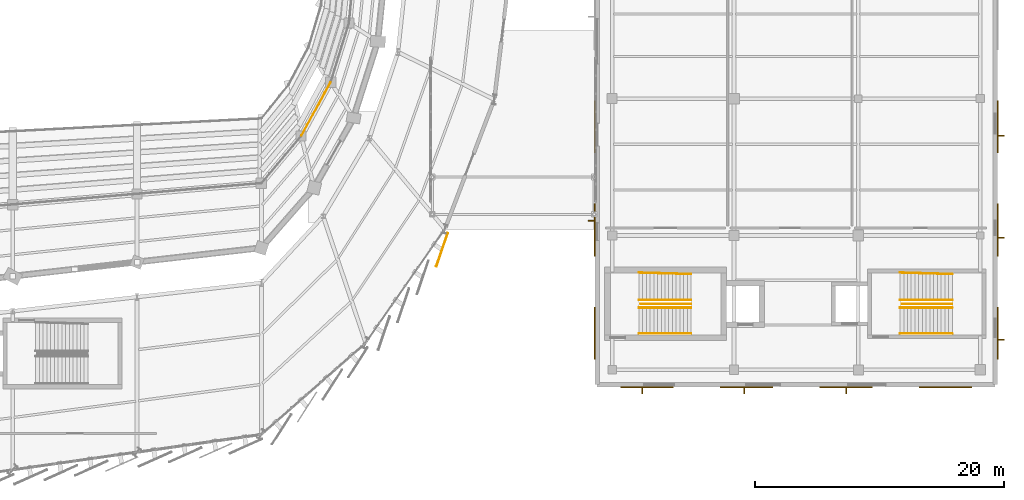
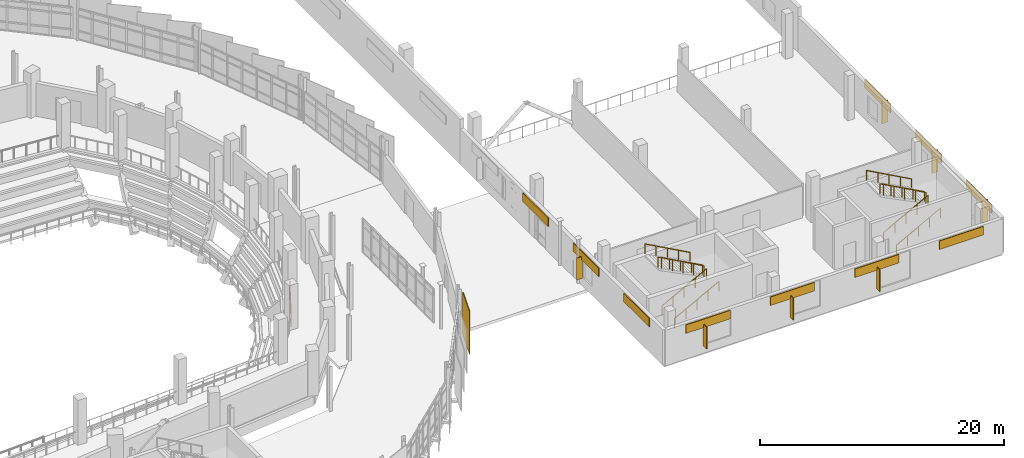
# One storey, part 131 of 134: 11 coverings, 11 railings, 7 shading devices.
"""IFC4 building model written with IfcOpenShell, lengths in metres."""

from ifc_helpers import new_model, si_unit, direction, frame, origin, origin_2d, place, context, subcontext, project, spatial, rectangle, circle, extrude, material, layer, layer_set, type_object, element, save


model = new_model("IFC4")

# Units and contexts
model_context = context("Model", 3, precision=1e-05, world=origin(), true_north=direction((0.0, 1.0)))
body_context = subcontext(model_context, "Body", "Model", "MODEL_VIEW")
ifc_project = project(units=[si_unit("LENGTHUNIT", "METRE"), si_unit("AREAUNIT", "SQUARE_METRE"), si_unit("VOLUMEUNIT", "CUBIC_METRE"), si_unit("PLANEANGLEUNIT", "RADIAN"), si_unit("MASSUNIT", "GRAM", prefix="KILO")], contexts=[model_context])

# Site, building, storey
site_placement = place(None, origin())
site = spatial("IfcSite", under=ifc_project, at=site_placement, CompositionType="ELEMENT")
building_placement = place(site_placement, origin())
building = spatial("IfcBuilding", under=site, at=building_placement, Name="Sohan Crest Arena", CompositionType="ELEMENT")
storey_placement = place(building_placement, frame((0.0, 0.0, 4.5)))
storey = spatial("IfcBuildingStorey", under=building, at=storey_placement, Name="L01", CompositionType="ELEMENT", Elevation=4.5)

# Railings
ifc_material_1 = material(Name="Powder-coated wrought steel balustrade", Category="steel")
railing_type_1 = type_object("IfcRailingType", Name="ARC-GRD-01", PredefinedType="GUARDRAIL", material=ifc_material_1)
for number, where, name in (
    (1, (202.530029296875, 50.5, 2.25), "Stair well slot guard GRD-080"),
    (2, (223.530029296875, 50.5, 2.25), "Stair well slot guard GRD-084"),
):
    element("IfcRailing", number, at=place(storey_placement, frame(where)), inside=storey, type_object=railing_type_1, Name=name, PredefinedType="GUARDRAIL", context=body_context, shape_type="SweptSolid", body=[
        extrude(circle(Radius=0.02392578125, at=origin_2d()), frame((0.0, 0.0, 1.076171875), z_axis=(-0.87313487534, 0.0, 0.487478706678), x_axis=(0.0, -1.0, 0.0)), (0.0, 0.0, 1.0), 4.615478515625),
        extrude(circle(Radius=0.02099609375, at=origin_2d()), origin(), (0.0, 0.0, 1.0), 1.052001953125),
        extrude(circle(Radius=0.02099609375, at=origin_2d()), frame((-1.007568359375, 0.0, 0.5625)), (0.0, 0.0, 1.0), 1.052001953125),
        extrude(circle(Radius=0.02099609375, at=origin_2d()), frame((-2.01513671875, 0.0, 1.125)), (0.0, 0.0, 1.0), 1.052001953125),
        extrude(circle(Radius=0.02099609375, at=origin_2d()), frame((-3.0224609375, 0.0, 1.6875)), (0.0, 0.0, 1.0), 1.052001953125),
        extrude(circle(Radius=0.02099609375, at=origin_2d()), frame((-4.030029296875, 0.0, 2.25)), (0.0, 0.0, 1.0), 1.052001953125),
    ])
ifc_material_2 = material(Name="Laminated glass and steel sightline guard", Category="steel")
railing_type_2 = type_object("IfcRailingType", Name="ARC-GRD-02", PredefinedType="GUARDRAIL", material=ifc_material_2)
railing_1_placement = place(storey_placement, frame((171.212890625, 64.02294921875, 0.0)))
element("IfcRailing", 3, at=railing_1_placement, inside=storey, type_object=railing_type_2, Name="Bowl gallery edge guard GRD-204", PredefinedType="GUARDRAIL", context=body_context, shape_type="SweptSolid", body=[
    extrude(circle(Radius=0.02392578125, at=origin_2d()), frame((0.0, 0.0, 1.1259765625), z_axis=(0.47973946728, 0.877410988952, 0.0), x_axis=(-0.877410988952, 0.47973946728, 0.0)), (0.0, 0.0, 1.0), 4.875732421875),
    extrude(circle(Radius=0.02099609375, at=origin_2d()), origin(), (0.0, 0.0, 1.0), 1.101806640625),
    extrude(circle(Radius=0.02099609375, at=origin_2d()), frame((0.4677734375, 0.855712890625, 0.0)), (0.0, 0.0, 1.0), 1.101806640625),
    extrude(circle(Radius=0.02099609375, at=origin_2d()), frame((0.935546875, 1.711181640625, 0.0)), (0.0, 0.0, 1.0), 1.101806640625),
    extrude(circle(Radius=0.02099609375, at=origin_2d()), frame((1.403564453125, 2.56689453125, 0.0)), (0.0, 0.0, 1.0), 1.101806640625),
    extrude(circle(Radius=0.02099609375, at=origin_2d()), frame((1.871337890625, 3.42236328125, 0.0)), (0.0, 0.0, 1.0), 1.101806640625),
    extrude(circle(Radius=0.02099609375, at=origin_2d()), frame((2.339111328125, 4.278076171875, 0.0)), (0.0, 0.0, 1.0), 1.101806640625),
])
ifc_material_3 = material(Name="Brushed stainless steel stair handrail", Category="steel")
railing_type_3 = type_object("IfcRailingType", Name="ARC-HR-01", PredefinedType="HANDRAIL", material=ifc_material_3)
for number, where, name in (
    (4, (198.35009765625, 48.110107421875, 0.0), "Stair pitch handrail HR-261"),
    (5, (198.35009765625, 50.18994140625, 0.0), "Stair pitch handrail HR-262"),
):
    element("IfcRailing", number, at=place(storey_placement, frame(where)), inside=storey, type_object=railing_type_3, Name=name, PredefinedType="HANDRAIL", context=body_context, shape_type="SweptSolid", body=[
        extrude(circle(Radius=0.02392578125, at=origin_2d()), frame((0.0, 0.0, 0.97607421875), z_axis=(0.881477684796, 0.0, 0.472225678258), x_axis=(0.0, 1.0, 0.0)), (0.0, 0.0, 1.0), 4.7646484375),
        extrude(circle(Radius=0.02099609375, at=origin_2d()), origin(), (0.0, 0.0, 1.0), 0.951904296875),
        extrude(circle(Radius=0.02099609375, at=origin_2d()), frame((1.050048828125, 0.0, 0.5625)), (0.0, 0.0, 1.0), 0.951904296875),
        extrude(circle(Radius=0.02099609375, at=origin_2d()), frame((2.10009765625, 0.0, 1.125)), (0.0, 0.0, 1.0), 0.951904296875),
        extrude(circle(Radius=0.02099609375, at=origin_2d()), frame((3.14990234375, 0.0, 1.6875)), (0.0, 0.0, 1.0), 0.951904296875),
        extrude(circle(Radius=0.02099609375, at=origin_2d()), frame((4.199951171875, 0.0, 2.25)), (0.0, 0.0, 1.0), 0.951904296875),
    ])
railing_2_placement = place(storey_placement, frame((202.550048828125, 50.81005859375, 2.25)))
element("IfcRailing", 6, at=railing_2_placement, inside=storey, type_object=railing_type_3, Name="Stair pitch handrail HR-263", PredefinedType="HANDRAIL", context=body_context, shape_type="SweptSolid", body=[
    extrude(circle(Radius=0.02392578125, at=origin_2d()), frame((0.0, 0.0, 0.97607421875), z_axis=(-0.881477684796, 0.0, 0.472225678258), x_axis=(0.0, -1.0, 0.0)), (0.0, 0.0, 1.0), 4.7646484375),
    extrude(circle(Radius=0.02099609375, at=origin_2d()), origin(), (0.0, 0.0, 1.0), 0.951904296875),
    extrude(circle(Radius=0.02099609375, at=origin_2d()), frame((-1.050048828125, 0.0, 0.5625)), (0.0, 0.0, 1.0), 0.951904296875),
    extrude(circle(Radius=0.02099609375, at=origin_2d()), frame((-2.10009765625, 0.0, 1.125)), (0.0, 0.0, 1.0), 0.951904296875),
    extrude(circle(Radius=0.02099609375, at=origin_2d()), frame((-3.14990234375, 0.0, 1.6875)), (0.0, 0.0, 1.0), 0.951904296875),
    extrude(circle(Radius=0.02099609375, at=origin_2d()), frame((-4.199951171875, 0.0, 2.25)), (0.0, 0.0, 1.0), 0.951904296875),
])
railing_3_placement = place(storey_placement, frame((202.550048828125, 52.889892578125, 2.25)))
element("IfcRailing", 7, at=railing_3_placement, inside=storey, type_object=railing_type_3, Name="Stair pitch handrail HR-264", PredefinedType="HANDRAIL", context=body_context, shape_type="SweptSolid", body=[
    extrude(circle(Radius=0.02392578125, at=origin_2d()), frame((0.0, 0.0, 0.97607421875), z_axis=(-0.881197710057, 0.025201957411, 0.472075690047), x_axis=(-0.028587973606, -0.999591280357, 0.0)), (0.0, 0.0, 1.0), 4.76611328125),
    extrude(circle(Radius=0.02099609375, at=origin_2d()), origin(), (0.0, 0.0, 1.0), 0.951904296875),
    extrude(circle(Radius=0.02099609375, at=origin_2d()), frame((-1.050048828125, 0.030029296875, 0.5625)), (0.0, 0.0, 1.0), 0.951904296875),
    extrude(circle(Radius=0.02099609375, at=origin_2d()), frame((-2.10009765625, 0.06005859375, 1.125)), (0.0, 0.0, 1.0), 0.951904296875),
    extrude(circle(Radius=0.02099609375, at=origin_2d()), frame((-3.14990234375, 0.090087890625, 1.6875)), (0.0, 0.0, 1.0), 0.951904296875),
    extrude(circle(Radius=0.02099609375, at=origin_2d()), frame((-4.199951171875, 0.1201171875, 2.25)), (0.0, 0.0, 1.0), 0.951904296875),
])
for number, where, name in (
    (8, (219.35009765625, 48.110107421875, 0.0), "Stair pitch handrail HR-273"),
    (9, (219.35009765625, 50.18994140625, 0.0), "Stair pitch handrail HR-274"),
):
    element("IfcRailing", number, at=place(storey_placement, frame(where)), inside=storey, type_object=railing_type_3, Name=name, PredefinedType="HANDRAIL", context=body_context, shape_type="SweptSolid", body=[
        extrude(circle(Radius=0.02392578125, at=origin_2d()), frame((0.0, 0.0, 0.97607421875), z_axis=(0.881477684796, 0.0, 0.472225678258), x_axis=(0.0, 1.0, 0.0)), (0.0, 0.0, 1.0), 4.7646484375),
        extrude(circle(Radius=0.02099609375, at=origin_2d()), origin(), (0.0, 0.0, 1.0), 0.951904296875),
        extrude(circle(Radius=0.02099609375, at=origin_2d()), frame((1.050048828125, 0.0, 0.5625)), (0.0, 0.0, 1.0), 0.951904296875),
        extrude(circle(Radius=0.02099609375, at=origin_2d()), frame((2.10009765625, 0.0, 1.125)), (0.0, 0.0, 1.0), 0.951904296875),
        extrude(circle(Radius=0.02099609375, at=origin_2d()), frame((3.14990234375, 0.0, 1.6875)), (0.0, 0.0, 1.0), 0.951904296875),
        extrude(circle(Radius=0.02099609375, at=origin_2d()), frame((4.199951171875, 0.0, 2.25)), (0.0, 0.0, 1.0), 0.951904296875),
    ])
railing_4_placement = place(storey_placement, frame((223.550048828125, 50.81005859375, 2.25)))
element("IfcRailing", 10, at=railing_4_placement, inside=storey, type_object=railing_type_3, Name="Stair pitch handrail HR-275", PredefinedType="HANDRAIL", context=body_context, shape_type="SweptSolid", body=[
    extrude(circle(Radius=0.02392578125, at=origin_2d()), frame((0.0, 0.0, 0.97607421875), z_axis=(-0.881477684796, 0.0, 0.472225678258), x_axis=(0.0, -1.0, 0.0)), (0.0, 0.0, 1.0), 4.7646484375),
    extrude(circle(Radius=0.02099609375, at=origin_2d()), origin(), (0.0, 0.0, 1.0), 0.951904296875),
    extrude(circle(Radius=0.02099609375, at=origin_2d()), frame((-1.050048828125, 0.0, 0.5625)), (0.0, 0.0, 1.0), 0.951904296875),
    extrude(circle(Radius=0.02099609375, at=origin_2d()), frame((-2.10009765625, 0.0, 1.125)), (0.0, 0.0, 1.0), 0.951904296875),
    extrude(circle(Radius=0.02099609375, at=origin_2d()), frame((-3.14990234375, 0.0, 1.6875)), (0.0, 0.0, 1.0), 0.951904296875),
    extrude(circle(Radius=0.02099609375, at=origin_2d()), frame((-4.199951171875, 0.0, 2.25)), (0.0, 0.0, 1.0), 0.951904296875),
])
railing_5_placement = place(storey_placement, frame((223.550048828125, 52.889892578125, 2.25)))
element("IfcRailing", 11, at=railing_5_placement, inside=storey, type_object=railing_type_3, Name="Stair pitch handrail HR-276", PredefinedType="HANDRAIL", context=body_context, shape_type="SweptSolid", body=[
    extrude(circle(Radius=0.02392578125, at=origin_2d()), frame((0.0, 0.0, 0.97607421875), z_axis=(-0.881197710057, 0.025201957411, 0.472075690047), x_axis=(-0.028587973606, -0.999591280357, 0.0)), (0.0, 0.0, 1.0), 4.76611328125),
    extrude(circle(Radius=0.02099609375, at=origin_2d()), origin(), (0.0, 0.0, 1.0), 0.951904296875),
    extrude(circle(Radius=0.02099609375, at=origin_2d()), frame((-1.050048828125, 0.030029296875, 0.5625)), (0.0, 0.0, 1.0), 0.951904296875),
    extrude(circle(Radius=0.02099609375, at=origin_2d()), frame((-2.10009765625, 0.06005859375, 1.125)), (0.0, 0.0, 1.0), 0.951904296875),
    extrude(circle(Radius=0.02099609375, at=origin_2d()), frame((-3.14990234375, 0.090087890625, 1.6875)), (0.0, 0.0, 1.0), 0.951904296875),
    extrude(circle(Radius=0.02099609375, at=origin_2d()), frame((-4.199951171875, 0.1201171875, 2.25)), (0.0, 0.0, 1.0), 0.951904296875),
])

# Shading devices
ifc_material_4 = material(Name="Glazed terracotta ceramic solar fin", Category="masonry")
ifc_layer_1 = layer(ifc_material_4, 0.070068359375, Name="Glazed terracotta ceramic solar fin")
ifc_layer_set_1 = layer_set([ifc_layer_1], Name="Glazed terracotta ceramic solar fin")
shading_device_type = type_object("IfcShadingDeviceType", Name="ARC-SHD-FIN1", PredefinedType="USERDEFINED", material=ifc_layer_set_1)
for number, where, z_axis, x_axis, name in (
    (12, (198.6201171875, 43.56494140625, 0.75), (0.0, 0.0, 1.0), (1.0, 0.0, 0.0), "Solar shading fin FIN-003"),
    (13, (206.820068359375, 43.56494140625, 0.75), (0.0, 0.0, 1.0), (1.0, 0.0, 0.0), "Solar shading fin FIN-004"),
    (14, (215.02001953125, 43.56494140625, 0.75), (0.0, 0.0, 1.0), (1.0, 0.0, 0.0), "Solar shading fin FIN-005"),
    (15, (227.43505859375, 47.6201171875, 0.75), (0.0, 0.0, 1.0), (0.0, 1.0, 0.0), "Solar shading fin FIN-006"),
    (16, (227.43505859375, 55.820068359375, 0.75), (0.0, 0.0, 1.0), (0.0, 1.0, 0.0), "Solar shading fin FIN-007"),
    (17, (227.43505859375, 64.02001953125, 0.75), (0.0, 0.0, 1.0), (0.0, 1.0, 0.0), "Solar shading fin FIN-008"),
    (18, (194.56494140625, 57.179931640625, 0.75), (0.0, 0.0, 1.0), (0.0, -1.0, 0.0), "Solar shading fin FIN-013"),
):
    element("IfcShadingDevice", number, at=place(storey_placement, frame(where, z_axis=z_axis, x_axis=x_axis)), inside=storey, type_object=shading_device_type, Name=name, ObjectType="FIN", PredefinedType="USERDEFINED", context=body_context, shape_type="SweptSolid", body=[
        extrude(rectangle(XDim=0.070068359375, YDim=0.550048828125, at=origin_2d()), origin(), (0.0, 0.0, 1.0), 2.199951171875),
    ])

# Coverings
ifc_material_5 = material(Name="Honed dark basalt stone cladding", Category="masonry")
ifc_layer_2 = layer(ifc_material_5, 0.0849609375, Name="Honed dark basalt stone cladding")
ifc_layer_set_2 = layer_set([ifc_layer_2], Name="Honed dark basalt stone cladding")
covering_type_1 = type_object("IfcCoveringType", Name="COV-BAS", PredefinedType="CLADDING", material=ifc_layer_set_2)
for number, where, z_axis, x_axis, name in (
    (19, (199.0, 43.79296875, 2.625), (0.0, 0.0, 1.0), (1.0, 0.0, 0.0), "Dark basalt facade panel DB-0789"),
    (20, (207.0, 43.79296875, 2.625), (0.0, 0.0, 1.0), (1.0, 0.0, 0.0), "Dark basalt facade panel DB-0790"),
    (21, (215.0, 43.79296875, 2.625), (0.0, 0.0, 1.0), (1.0, 0.0, 0.0), "Dark basalt facade panel DB-0791"),
    (22, (223.0, 43.79296875, 2.625), (0.0, 0.0, 1.0), (1.0, 0.0, 0.0), "Dark basalt facade panel DB-0792"),
    (23, (227.20703125, 48.14990234375, 2.625), (0.0, 0.0, 1.0), (0.0, 1.0, 0.0), "Dark basalt facade panel DB-0793"),
    (24, (227.20703125, 56.449951171875, 2.625), (0.0, 0.0, 1.0), (0.0, 1.0, 0.0), "Dark basalt facade panel DB-0794"),
    (25, (227.20703125, 64.75, 2.625), (0.0, 0.0, 1.0), (0.0, 1.0, 0.0), "Dark basalt facade panel DB-0795"),
    (26, (194.79296875, 64.75, 2.625), (0.0, 0.0, 1.0), (0.0, -1.0, 0.0), "Dark basalt facade panel DB-0810"),
    (27, (194.79296875, 56.449951171875, 2.625), (0.0, 0.0, 1.0), (0.0, -1.0, 0.0), "Dark basalt facade panel DB-0811"),
    (28, (194.79296875, 48.14990234375, 2.625), (0.0, 0.0, 1.0), (0.0, -1.0, 0.0), "Dark basalt facade panel DB-0812"),
):
    element("IfcCovering", number, at=place(storey_placement, frame(where, z_axis=z_axis, x_axis=x_axis)), inside=storey, type_object=covering_type_1, Name=name, PredefinedType="CLADDING", context=body_context, shape_type="SweptSolid", body=[
        extrude(rectangle(XDim=4.199951171875, YDim=0.0849609375, at=origin_2d()), origin(), (0.0, 0.0, 1.0), 0.85009765625),
    ])
ifc_material_6 = material(Name="Glazed ivory trencadis ceramic cladding", Category="masonry")
ifc_layer_3 = layer(ifc_material_6, 0.06494140625, Name="Glazed ivory trencadis ceramic cladding")
ifc_layer_set_3 = layer_set([ifc_layer_3], Name="Glazed ivory trencadis ceramic cladding")
covering_type_2 = type_object("IfcCoveringType", Name="COV-SC-IV", PredefinedType="CLADDING", material=ifc_layer_set_3)
covering_placement = place(storey_placement, frame((182.52197265625, 54.85205078125, -0.2001953125), z_axis=(0.0, 0.0, 1.0), x_axis=(0.322265695231, 0.946649260116, 0.0)))
element("IfcCovering", 29, at=covering_placement, inside=storey, type_object=covering_type_2, Name="Rotated trencadis ceramic scale panel SC-0086", PredefinedType="CLADDING", context=body_context, shape_type="SweptSolid", body=[
    extrude(rectangle(XDim=2.85009765625, YDim=0.06494140625, at=origin_2d()), origin(), (0.0, 0.0, 1.0), 4.300048828125),
])

save(model, "model.ifc")
